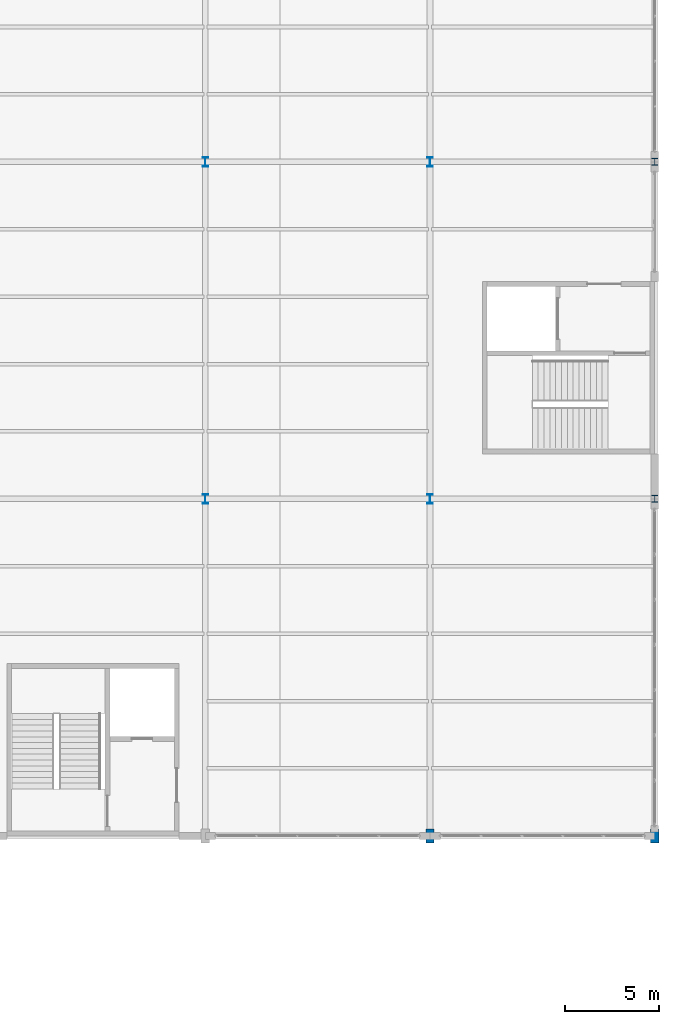
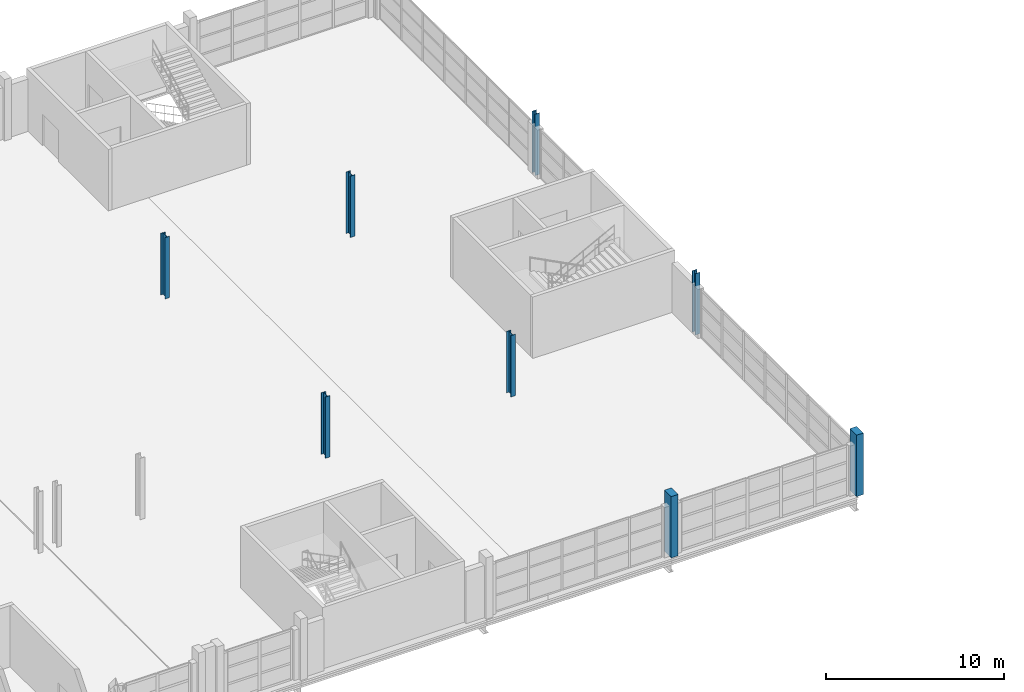
# One storey, part 19 of 147: 8 columns.
"""IFC4 building model written with IfcOpenShell, lengths in metres."""

from ifc_helpers import new_model, si_unit, direction, frame, origin, origin_2d, place, context, subcontext, project, spatial, rectangle, i_section, extrude, material, material_profile, profile_set, type_object, element, save


model = new_model("IFC4")

# Units and contexts
model_context = context("Model", 3, precision=1e-05, world=origin(), true_north=direction((0.0, 1.0)))
body_context = subcontext(model_context, "Body", "Model", "MODEL_VIEW")
ifc_project = project(units=[si_unit("LENGTHUNIT", "METRE"), si_unit("AREAUNIT", "SQUARE_METRE"), si_unit("VOLUMEUNIT", "CUBIC_METRE"), si_unit("PLANEANGLEUNIT", "RADIAN"), si_unit("MASSUNIT", "GRAM", prefix="KILO")], contexts=[model_context])

# Site, building, storey
site_placement = place(None, origin())
site = spatial("IfcSite", under=ifc_project, at=site_placement, CompositionType="ELEMENT")
building_placement = place(site_placement, origin())
building = spatial("IfcBuilding", under=site, at=building_placement, Name="Zilviju Railside Exhibition Hall", CompositionType="ELEMENT")
storey_placement = place(building_placement, frame((0.0, 0.0, 8.39990234375)))
storey = spatial("IfcBuildingStorey", under=building, at=storey_placement, Name="L03", CompositionType="ELEMENT", Elevation=8.39990234375)

# Columns
ifc_material_1 = material(Name="Steel S355J2", Category="steel")
ifc_material_profile_1 = material_profile(ifc_material_1, i_section(OverallWidth=0.300048828125, OverallDepth=0.360107421875, WebThickness=0.012451171875, FlangeThickness=0.0224609375, at=origin_2d()), Name="HEB 360")
ifc_profile_set_1 = profile_set([ifc_material_profile_1], Name="Steel S355J2")
column_type_1 = type_object("IfcColumnType", Name="COL-ST-HEB360", PredefinedType="COLUMN", material=ifc_profile_set_1)
for number, where, z_axis, x_axis, name in (
    (1, (216.0, 102.0, 0.0), (0.0, 0.0, 1.0), (1.0, 0.0, 0.0), "Structural Column L03 (216.0, 102.0)"),
    (2, (216.0, 120.0, 0.0), (0.0, 0.0, 1.0), (1.0, 0.0, 0.0), "Structural Column L03 (216.0, 120.0)"),
):
    element("IfcColumn", number, at=place(storey_placement, frame(where, z_axis=z_axis, x_axis=x_axis)), inside=storey, type_object=column_type_1, Name=name, PredefinedType="COLUMN", context=body_context, shape_type="SweptSolid", body=[
        extrude(i_section(OverallWidth=0.300048828125, OverallDepth=0.360107421875, WebThickness=0.012451171875, FlangeThickness=0.0224609375, at=origin_2d()), origin(), (0.0, 0.0, 1.0), 4.2001953125),
    ])
ifc_material_profile_2 = material_profile(ifc_material_1, i_section(OverallWidth=0.300048828125, OverallDepth=0.5, WebThickness=0.014404296875, FlangeThickness=0.028076171875, at=origin_2d()), Name="HEB 500")
ifc_profile_set_2 = profile_set([ifc_material_profile_2], Name="Steel S355J2")
column_type_2 = type_object("IfcColumnType", Name="COL-ST-HEB500", PredefinedType="COLUMN", material=ifc_profile_set_2)
for number, where, z_axis, x_axis, name in (
    (3, (192.0, 102.0, 0.0), (0.0, 0.0, 1.0), (1.0, 0.0, 0.0), "Structural Column L03 (192.0, 102.0)"),
    (4, (204.0, 102.0, 0.0), (0.0, 0.0, 1.0), (1.0, 0.0, 0.0), "Structural Column L03 (204.0, 102.0)"),
    (5, (192.0, 120.0, 0.0), (0.0, 0.0, 1.0), (1.0, 0.0, 0.0), "Structural Column L03 (192.0, 120.0)"),
    (6, (204.0, 120.0, 0.0), (0.0, 0.0, 1.0), (1.0, 0.0, 0.0), "Structural Column L03 (204.0, 120.0)"),
):
    element("IfcColumn", number, at=place(storey_placement, frame(where, z_axis=z_axis, x_axis=x_axis)), inside=storey, type_object=column_type_2, Name=name, PredefinedType="COLUMN", context=body_context, shape_type="SweptSolid", body=[
        extrude(i_section(OverallWidth=0.300048828125, OverallDepth=0.5, WebThickness=0.014404296875, FlangeThickness=0.028076171875, at=origin_2d()), origin(), (0.0, 0.0, 1.0), 4.2001953125),
    ])
ifc_material_2 = material(Name="Concrete C40/50", Category="concrete")
ifc_material_profile_3 = material_profile(ifc_material_2, rectangle(XDim=0.449951171875, YDim=0.75, at=origin_2d()), Name="RC COL 450x750")
ifc_profile_set_3 = profile_set([ifc_material_profile_3], Name="Concrete C40/50")
column_type_3 = type_object("IfcColumnType", Name="PIL-RC-750x450", PredefinedType="PILASTER", material=ifc_profile_set_3)
for number, where, z_axis, x_axis, name in (
    (7, (204.0, 84.0, 0.0), (0.0, 0.0, 1.0), (1.0, 0.0, 0.0), "Structural Column L03 (204.0, 84.0)"),
    (8, (216.0, 84.0, 0.0), (0.0, 0.0, 1.0), (1.0, 0.0, 0.0), "Structural Column L03 (216.0, 84.0)"),
):
    element("IfcColumn", number, at=place(storey_placement, frame(where, z_axis=z_axis, x_axis=x_axis)), inside=storey, type_object=column_type_3, Name=name, PredefinedType="PILASTER", context=body_context, shape_type="SweptSolid", body=[
        extrude(rectangle(XDim=0.449951171875, YDim=0.75, at=origin_2d()), origin(), (0.0, 0.0, 1.0), 4.2001953125),
    ])

save(model, "model.ifc")
